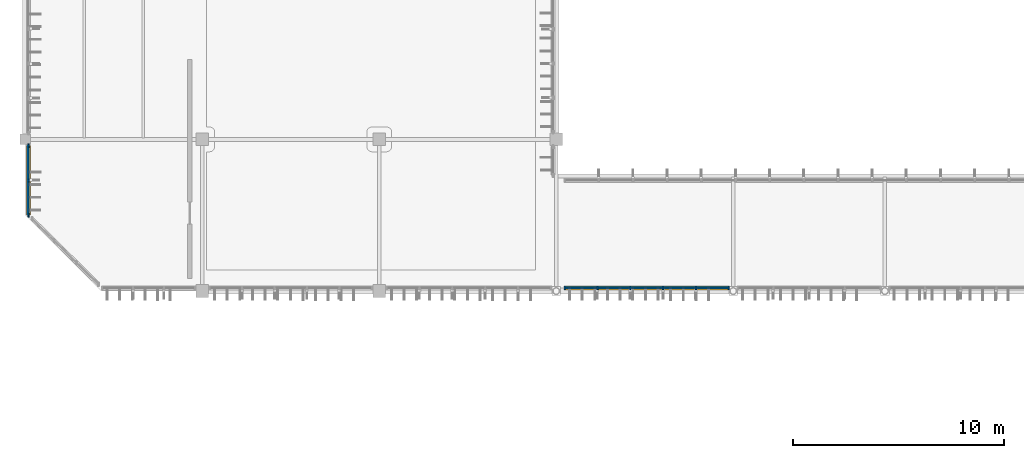
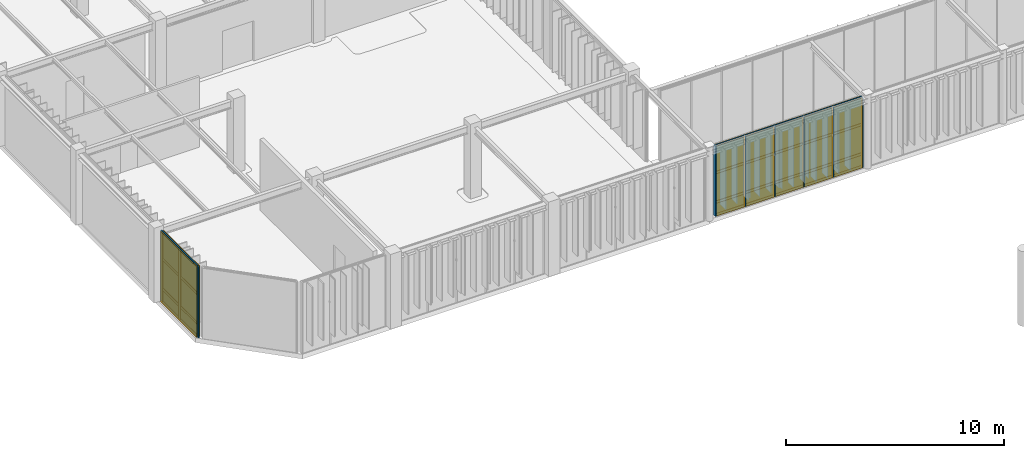
# One storey, part 65 of 104: 37 members, 21 plates, 2 curtain walls.
"""IFC4 building model written with IfcOpenShell, lengths in metres."""

from ifc_helpers import new_model, si_unit, direction, frame, frame_2d, origin, origin_2d, place, context, subcontext, project, spatial, rectangle, extrude, material, layer, layer_set, material_profile, profile_set, type_object, element, aggregate, save


model = new_model("IFC4")

# Units and contexts
model_context = context("Model", 3, precision=1e-05, world=origin(), true_north=direction((0.0, 1.0)))
body_context = subcontext(model_context, "Body", "Model", "MODEL_VIEW")
ifc_project = project(units=[si_unit("LENGTHUNIT", "METRE"), si_unit("AREAUNIT", "SQUARE_METRE"), si_unit("VOLUMEUNIT", "CUBIC_METRE"), si_unit("PLANEANGLEUNIT", "RADIAN"), si_unit("MASSUNIT", "GRAM", prefix="KILO")], contexts=[model_context])

# Member
ifc_material_1 = material(Name="Anodised Bronze Aluminium 6063-T6", Category="aluminium")
ifc_material_profile_1 = material_profile(ifc_material_1, rectangle(XDim=0.06005859375, YDim=0.179931640625, at=origin_2d()), Name="ALU MULLION 60x180")
ifc_profile_set_1 = profile_set([ifc_material_profile_1], Name="Anodised Bronze Aluminium 6063-T6")
member_type_1 = type_object("IfcMemberType", Name="Curtain-Wall Primary Mullion 60x180", PredefinedType="MULLION", material=ifc_profile_set_1)
site_placement = place(None, origin())
building_placement = place(site_placement, origin())
storey_placement = place(building_placement, frame((0.0, 0.0, 9.0)))
member_1_placement = place(storey_placement, frame((2.550048828125, 48.199951171875, 0.0), z_axis=(0.0, 0.0, 1.0), x_axis=(1.0, 0.0, 0.0)))
member_1 = element("IfcMember", 1, at=member_1_placement, type_object=member_type_1, Name="Mullion CWM-01 CW-V6-W1-L02-B1-M01", PredefinedType="MULLION", context=body_context, shape_type="SweptSolid", body=[
    extrude(rectangle(XDim=0.06005859375, YDim=0.179931640625, at=origin_2d()), origin(), (0.0, 0.0, 1.0), 3.9599609375),
])

member_2_placement = place(storey_placement, frame((2.550048828125, 49.85009765625, 0.0), z_axis=(0.0, 0.0, 1.0), x_axis=(1.0, 0.0, 0.0)))
member_2 = element("IfcMember", 2, at=member_2_placement, type_object=member_type_1, Name="Mullion CWM-01 CW-V6-W1-L02-B1-M02", PredefinedType="MULLION", context=body_context, shape_type="SweptSolid", body=[
    extrude(rectangle(XDim=0.06005859375, YDim=0.179931640625, at=origin_2d()), origin(), (0.0, 0.0, 1.0), 3.9599609375),
])

member_3_placement = place(storey_placement, frame((2.550048828125, 51.5, 0.0), z_axis=(0.0, 0.0, 1.0), x_axis=(1.0, 0.0, 0.0)))
member_3 = element("IfcMember", 3, at=member_3_placement, type_object=member_type_1, Name="Mullion CWM-01 CW-V6-W1-L02-B1-M03", PredefinedType="MULLION", context=body_context, shape_type="SweptSolid", body=[
    extrude(rectangle(XDim=0.06005859375, YDim=0.179931640625, at=origin_2d()), origin(), (0.0, 0.0, 1.0), 3.9599609375),
])

member_4_placement = place(storey_placement, frame((28.0, 44.75, 0.0), z_axis=(0.0, 0.0, 1.0), x_axis=(1.0, 0.0, 0.0)))
member_4 = element("IfcMember", 4, at=member_4_placement, type_object=member_type_1, Name="Mullion CWM-01 CW-WLNK-S-L02-B1-M01", PredefinedType="MULLION", context=body_context, shape_type="SweptSolid", body=[
    extrude(rectangle(XDim=0.06005859375, YDim=0.179931640625, at=origin_2d()), origin(), (0.0, 0.0, 1.0), 3.93994140625),
])

member_5_placement = place(storey_placement, frame((29.5576171875, 44.75, 0.0), z_axis=(0.0, 0.0, 1.0), x_axis=(1.0, 0.0, 0.0)))
member_5 = element("IfcMember", 5, at=member_5_placement, type_object=member_type_1, Name="Mullion CWM-01 CW-WLNK-S-L02-B1-M02", PredefinedType="MULLION", context=body_context, shape_type="SweptSolid", body=[
    extrude(rectangle(XDim=0.06005859375, YDim=0.179931640625, at=origin_2d()), origin(), (0.0, 0.0, 1.0), 3.93994140625),
])

member_6_placement = place(storey_placement, frame((31.115234375, 44.75, 0.0), z_axis=(0.0, 0.0, 1.0), x_axis=(1.0, 0.0, 0.0)))
member_6 = element("IfcMember", 6, at=member_6_placement, type_object=member_type_1, Name="Mullion CWM-01 CW-WLNK-S-L02-B1-M03", PredefinedType="MULLION", context=body_context, shape_type="SweptSolid", body=[
    extrude(rectangle(XDim=0.06005859375, YDim=0.179931640625, at=origin_2d()), origin(), (0.0, 0.0, 1.0), 3.93994140625),
])

member_7_placement = place(storey_placement, frame((32.6728515625, 44.75, 0.0), z_axis=(0.0, 0.0, 1.0), x_axis=(1.0, 0.0, 0.0)))
member_7 = element("IfcMember", 7, at=member_7_placement, type_object=member_type_1, Name="Mullion CWM-01 CW-WLNK-S-L02-B1-M04", PredefinedType="MULLION", context=body_context, shape_type="SweptSolid", body=[
    extrude(rectangle(XDim=0.06005859375, YDim=0.179931640625, at=origin_2d()), origin(), (0.0, 0.0, 1.0), 3.93994140625),
])

member_8_placement = place(storey_placement, frame((34.23046875, 44.75, 0.0), z_axis=(0.0, 0.0, 1.0), x_axis=(1.0, 0.0, 0.0)))
member_8 = element("IfcMember", 8, at=member_8_placement, type_object=member_type_1, Name="Mullion CWM-01 CW-WLNK-S-L02-B1-M05", PredefinedType="MULLION", context=body_context, shape_type="SweptSolid", body=[
    extrude(rectangle(XDim=0.06005859375, YDim=0.179931640625, at=origin_2d()), origin(), (0.0, 0.0, 1.0), 3.93994140625),
])

member_9_placement = place(storey_placement, frame((35.7880859375, 44.75, 0.0), z_axis=(0.0, 0.0, 1.0), x_axis=(1.0, 0.0, 0.0)))
member_9 = element("IfcMember", 9, at=member_9_placement, type_object=member_type_1, Name="Mullion CWM-01 CW-WLNK-S-L02-B1-M06", PredefinedType="MULLION", context=body_context, shape_type="SweptSolid", body=[
    extrude(rectangle(XDim=0.06005859375, YDim=0.179931640625, at=origin_2d()), origin(), (0.0, 0.0, 1.0), 3.93994140625),
])

ifc_material_profile_2 = material_profile(ifc_material_1, rectangle(XDim=0.06005859375, YDim=0.139892578125, at=origin_2d()), Name="ALU TRANSOM 60x140")
ifc_profile_set_2 = profile_set([ifc_material_profile_2], Name="Anodised Bronze Aluminium 6063-T6")
member_type_2 = type_object("IfcMemberType", Name="Curtain-Wall Transom 60x140", PredefinedType="USERDEFINED", material=ifc_profile_set_2)
member_10_placement = place(storey_placement, frame((2.550048828125, 48.235107421875, 0.0400390625), z_axis=(0.0, 1.0, 0.0), x_axis=(-1.0, 0.0, 0.0)))
member_10 = element("IfcMember", 10, at=member_10_placement, type_object=member_type_2, Name="Transom CWT-01 CW-V6-W1-L02-B1-T01.1", ObjectType="TRANSOM", PredefinedType="USERDEFINED", context=body_context, shape_type="SweptSolid", body=[
    extrude(rectangle(XDim=0.06005859375, YDim=0.139892578125, at=origin_2d()), origin(), (0.0, 0.0, 1.0), 1.579833984375),
])

member_11_placement = place(storey_placement, frame((2.550048828125, 48.235107421875, 0.75), z_axis=(0.0, 1.0, 0.0), x_axis=(-1.0, 0.0, 0.0)))
member_11 = element("IfcMember", 11, at=member_11_placement, type_object=member_type_2, Name="Transom CWT-01 CW-V6-W1-L02-B1-T01.2", ObjectType="TRANSOM", PredefinedType="USERDEFINED", context=body_context, shape_type="SweptSolid", body=[
    extrude(rectangle(XDim=0.06005859375, YDim=0.139892578125, at=origin_2d()), origin(), (0.0, 0.0, 1.0), 1.579833984375),
])

member_12_placement = place(storey_placement, frame((2.550048828125, 48.235107421875, 2.419189453125), z_axis=(0.0, 1.0, 0.0), x_axis=(-1.0, 0.0, 0.0)))
member_12 = element("IfcMember", 12, at=member_12_placement, type_object=member_type_2, Name="Transom CWT-01 CW-V6-W1-L02-B1-T01.3", ObjectType="TRANSOM", PredefinedType="USERDEFINED", context=body_context, shape_type="SweptSolid", body=[
    extrude(rectangle(XDim=0.06005859375, YDim=0.139892578125, at=origin_2d()), origin(), (0.0, 0.0, 1.0), 1.579833984375),
])

member_13_placement = place(storey_placement, frame((2.550048828125, 48.235107421875, 3.919921875), z_axis=(0.0, 1.0, 0.0), x_axis=(-1.0, 0.0, 0.0)))
member_13 = element("IfcMember", 13, at=member_13_placement, type_object=member_type_2, Name="Transom CWT-01 CW-V6-W1-L02-B1-T01.4", ObjectType="TRANSOM", PredefinedType="USERDEFINED", context=body_context, shape_type="SweptSolid", body=[
    extrude(rectangle(XDim=0.06005859375, YDim=0.139892578125, at=origin_2d()), origin(), (0.0, 0.0, 1.0), 1.579833984375),
])

member_14_placement = place(storey_placement, frame((2.550048828125, 49.885009765625, 0.0400390625), z_axis=(0.0, 1.0, 0.0), x_axis=(-1.0, 0.0, 0.0)))
member_14 = element("IfcMember", 14, at=member_14_placement, type_object=member_type_2, Name="Transom CWT-01 CW-V6-W1-L02-B1-T02.1", ObjectType="TRANSOM", PredefinedType="USERDEFINED", context=body_context, shape_type="SweptSolid", body=[
    extrude(rectangle(XDim=0.06005859375, YDim=0.139892578125, at=origin_2d()), origin(), (0.0, 0.0, 1.0), 1.580078125),
])

member_15_placement = place(storey_placement, frame((2.550048828125, 49.885009765625, 0.75), z_axis=(0.0, 1.0, 0.0), x_axis=(-1.0, 0.0, 0.0)))
member_15 = element("IfcMember", 15, at=member_15_placement, type_object=member_type_2, Name="Transom CWT-01 CW-V6-W1-L02-B1-T02.2", ObjectType="TRANSOM", PredefinedType="USERDEFINED", context=body_context, shape_type="SweptSolid", body=[
    extrude(rectangle(XDim=0.06005859375, YDim=0.139892578125, at=origin_2d()), origin(), (0.0, 0.0, 1.0), 1.580078125),
])

member_16_placement = place(storey_placement, frame((2.550048828125, 49.885009765625, 2.419189453125), z_axis=(0.0, 1.0, 0.0), x_axis=(-1.0, 0.0, 0.0)))
member_16 = element("IfcMember", 16, at=member_16_placement, type_object=member_type_2, Name="Transom CWT-01 CW-V6-W1-L02-B1-T02.3", ObjectType="TRANSOM", PredefinedType="USERDEFINED", context=body_context, shape_type="SweptSolid", body=[
    extrude(rectangle(XDim=0.06005859375, YDim=0.139892578125, at=origin_2d()), origin(), (0.0, 0.0, 1.0), 1.580078125),
])

member_17_placement = place(storey_placement, frame((2.550048828125, 49.885009765625, 3.919921875), z_axis=(0.0, 1.0, 0.0), x_axis=(-1.0, 0.0, 0.0)))
member_17 = element("IfcMember", 17, at=member_17_placement, type_object=member_type_2, Name="Transom CWT-01 CW-V6-W1-L02-B1-T02.4", ObjectType="TRANSOM", PredefinedType="USERDEFINED", context=body_context, shape_type="SweptSolid", body=[
    extrude(rectangle(XDim=0.06005859375, YDim=0.139892578125, at=origin_2d()), origin(), (0.0, 0.0, 1.0), 1.580078125),
])

member_18_placement = place(storey_placement, frame((28.034912109375, 44.75, 0.0400390625), z_axis=(1.0, 0.0, 0.0), x_axis=(0.0, 1.0, 0.0)))
member_18 = element("IfcMember", 18, at=member_18_placement, type_object=member_type_2, Name="Transom CWT-01 CW-WLNK-S-L02-B1-T01.1", ObjectType="TRANSOM", PredefinedType="USERDEFINED", context=body_context, shape_type="SweptSolid", body=[
    extrude(rectangle(XDim=0.06005859375, YDim=0.139892578125, at=origin_2d()), origin(), (0.0, 0.0, 1.0), 1.48779296875),
])

member_19_placement = place(storey_placement, frame((28.034912109375, 44.75, 0.75), z_axis=(1.0, 0.0, 0.0), x_axis=(0.0, 1.0, 0.0)))
member_19 = element("IfcMember", 19, at=member_19_placement, type_object=member_type_2, Name="Transom CWT-01 CW-WLNK-S-L02-B1-T01.2", ObjectType="TRANSOM", PredefinedType="USERDEFINED", context=body_context, shape_type="SweptSolid", body=[
    extrude(rectangle(XDim=0.06005859375, YDim=0.139892578125, at=origin_2d()), origin(), (0.0, 0.0, 1.0), 1.48779296875),
])

member_20_placement = place(storey_placement, frame((28.034912109375, 44.75, 2.40869140625), z_axis=(1.0, 0.0, 0.0), x_axis=(0.0, 1.0, 0.0)))
member_20 = element("IfcMember", 20, at=member_20_placement, type_object=member_type_2, Name="Transom CWT-01 CW-WLNK-S-L02-B1-T01.3", ObjectType="TRANSOM", PredefinedType="USERDEFINED", context=body_context, shape_type="SweptSolid", body=[
    extrude(rectangle(XDim=0.06005859375, YDim=0.139892578125, at=origin_2d()), origin(), (0.0, 0.0, 1.0), 1.48779296875),
])

member_21_placement = place(storey_placement, frame((28.034912109375, 44.75, 3.89990234375), z_axis=(1.0, 0.0, 0.0), x_axis=(0.0, 1.0, 0.0)))
member_21 = element("IfcMember", 21, at=member_21_placement, type_object=member_type_2, Name="Transom CWT-01 CW-WLNK-S-L02-B1-T01.4", ObjectType="TRANSOM", PredefinedType="USERDEFINED", context=body_context, shape_type="SweptSolid", body=[
    extrude(rectangle(XDim=0.06005859375, YDim=0.139892578125, at=origin_2d()), origin(), (0.0, 0.0, 1.0), 1.48779296875),
])

member_22_placement = place(storey_placement, frame((29.592529296875, 44.75, 0.0400390625), z_axis=(1.0, 0.0, 0.0), x_axis=(0.0, 1.0, 0.0)))
member_22 = element("IfcMember", 22, at=member_22_placement, type_object=member_type_2, Name="Transom CWT-01 CW-WLNK-S-L02-B1-T02.1", ObjectType="TRANSOM", PredefinedType="USERDEFINED", context=body_context, shape_type="SweptSolid", body=[
    extrude(rectangle(XDim=0.06005859375, YDim=0.139892578125, at=origin_2d()), origin(), (0.0, 0.0, 1.0), 1.487548828125),
])

member_23_placement = place(storey_placement, frame((29.592529296875, 44.75, 0.75), z_axis=(1.0, 0.0, 0.0), x_axis=(0.0, 1.0, 0.0)))
member_23 = element("IfcMember", 23, at=member_23_placement, type_object=member_type_2, Name="Transom CWT-01 CW-WLNK-S-L02-B1-T02.2", ObjectType="TRANSOM", PredefinedType="USERDEFINED", context=body_context, shape_type="SweptSolid", body=[
    extrude(rectangle(XDim=0.06005859375, YDim=0.139892578125, at=origin_2d()), origin(), (0.0, 0.0, 1.0), 1.487548828125),
])

member_24_placement = place(storey_placement, frame((29.592529296875, 44.75, 2.40869140625), z_axis=(1.0, 0.0, 0.0), x_axis=(0.0, 1.0, 0.0)))
member_24 = element("IfcMember", 24, at=member_24_placement, type_object=member_type_2, Name="Transom CWT-01 CW-WLNK-S-L02-B1-T02.3", ObjectType="TRANSOM", PredefinedType="USERDEFINED", context=body_context, shape_type="SweptSolid", body=[
    extrude(rectangle(XDim=0.06005859375, YDim=0.139892578125, at=origin_2d()), origin(), (0.0, 0.0, 1.0), 1.487548828125),
])

member_25_placement = place(storey_placement, frame((29.592529296875, 44.75, 3.89990234375), z_axis=(1.0, 0.0, 0.0), x_axis=(0.0, 1.0, 0.0)))
member_25 = element("IfcMember", 25, at=member_25_placement, type_object=member_type_2, Name="Transom CWT-01 CW-WLNK-S-L02-B1-T02.4", ObjectType="TRANSOM", PredefinedType="USERDEFINED", context=body_context, shape_type="SweptSolid", body=[
    extrude(rectangle(XDim=0.06005859375, YDim=0.139892578125, at=origin_2d()), origin(), (0.0, 0.0, 1.0), 1.487548828125),
])

member_26_placement = place(storey_placement, frame((31.150146484375, 44.75, 0.0400390625), z_axis=(1.0, 0.0, 0.0), x_axis=(0.0, 1.0, 0.0)))
member_26 = element("IfcMember", 26, at=member_26_placement, type_object=member_type_2, Name="Transom CWT-01 CW-WLNK-S-L02-B1-T03.1", ObjectType="TRANSOM", PredefinedType="USERDEFINED", context=body_context, shape_type="SweptSolid", body=[
    extrude(rectangle(XDim=0.06005859375, YDim=0.139892578125, at=origin_2d()), origin(), (0.0, 0.0, 1.0), 1.487548828125),
])

member_27_placement = place(storey_placement, frame((31.150146484375, 44.75, 0.75), z_axis=(1.0, 0.0, 0.0), x_axis=(0.0, 1.0, 0.0)))
member_27 = element("IfcMember", 27, at=member_27_placement, type_object=member_type_2, Name="Transom CWT-01 CW-WLNK-S-L02-B1-T03.2", ObjectType="TRANSOM", PredefinedType="USERDEFINED", context=body_context, shape_type="SweptSolid", body=[
    extrude(rectangle(XDim=0.06005859375, YDim=0.139892578125, at=origin_2d()), origin(), (0.0, 0.0, 1.0), 1.487548828125),
])

member_28_placement = place(storey_placement, frame((31.150146484375, 44.75, 2.40869140625), z_axis=(1.0, 0.0, 0.0), x_axis=(0.0, 1.0, 0.0)))
member_28 = element("IfcMember", 28, at=member_28_placement, type_object=member_type_2, Name="Transom CWT-01 CW-WLNK-S-L02-B1-T03.3", ObjectType="TRANSOM", PredefinedType="USERDEFINED", context=body_context, shape_type="SweptSolid", body=[
    extrude(rectangle(XDim=0.06005859375, YDim=0.139892578125, at=origin_2d()), origin(), (0.0, 0.0, 1.0), 1.487548828125),
])

member_29_placement = place(storey_placement, frame((31.150146484375, 44.75, 3.89990234375), z_axis=(1.0, 0.0, 0.0), x_axis=(0.0, 1.0, 0.0)))
member_29 = element("IfcMember", 29, at=member_29_placement, type_object=member_type_2, Name="Transom CWT-01 CW-WLNK-S-L02-B1-T03.4", ObjectType="TRANSOM", PredefinedType="USERDEFINED", context=body_context, shape_type="SweptSolid", body=[
    extrude(rectangle(XDim=0.06005859375, YDim=0.139892578125, at=origin_2d()), origin(), (0.0, 0.0, 1.0), 1.487548828125),
])

member_30_placement = place(storey_placement, frame((32.707763671875, 44.75, 0.0400390625), z_axis=(1.0, 0.0, 0.0), x_axis=(0.0, 1.0, 0.0)))
member_30 = element("IfcMember", 30, at=member_30_placement, type_object=member_type_2, Name="Transom CWT-01 CW-WLNK-S-L02-B1-T04.1", ObjectType="TRANSOM", PredefinedType="USERDEFINED", context=body_context, shape_type="SweptSolid", body=[
    extrude(rectangle(XDim=0.06005859375, YDim=0.139892578125, at=origin_2d()), origin(), (0.0, 0.0, 1.0), 1.487548828125),
])

member_31_placement = place(storey_placement, frame((32.707763671875, 44.75, 0.75), z_axis=(1.0, 0.0, 0.0), x_axis=(0.0, 1.0, 0.0)))
member_31 = element("IfcMember", 31, at=member_31_placement, type_object=member_type_2, Name="Transom CWT-01 CW-WLNK-S-L02-B1-T04.2", ObjectType="TRANSOM", PredefinedType="USERDEFINED", context=body_context, shape_type="SweptSolid", body=[
    extrude(rectangle(XDim=0.06005859375, YDim=0.139892578125, at=origin_2d()), origin(), (0.0, 0.0, 1.0), 1.487548828125),
])

member_32_placement = place(storey_placement, frame((32.707763671875, 44.75, 2.40869140625), z_axis=(1.0, 0.0, 0.0), x_axis=(0.0, 1.0, 0.0)))
member_32 = element("IfcMember", 32, at=member_32_placement, type_object=member_type_2, Name="Transom CWT-01 CW-WLNK-S-L02-B1-T04.3", ObjectType="TRANSOM", PredefinedType="USERDEFINED", context=body_context, shape_type="SweptSolid", body=[
    extrude(rectangle(XDim=0.06005859375, YDim=0.139892578125, at=origin_2d()), origin(), (0.0, 0.0, 1.0), 1.487548828125),
])

member_33_placement = place(storey_placement, frame((32.707763671875, 44.75, 3.89990234375), z_axis=(1.0, 0.0, 0.0), x_axis=(0.0, 1.0, 0.0)))
member_33 = element("IfcMember", 33, at=member_33_placement, type_object=member_type_2, Name="Transom CWT-01 CW-WLNK-S-L02-B1-T04.4", ObjectType="TRANSOM", PredefinedType="USERDEFINED", context=body_context, shape_type="SweptSolid", body=[
    extrude(rectangle(XDim=0.06005859375, YDim=0.139892578125, at=origin_2d()), origin(), (0.0, 0.0, 1.0), 1.487548828125),
])

member_34_placement = place(storey_placement, frame((34.265380859375, 44.75, 0.0400390625), z_axis=(1.0, 0.0, 0.0), x_axis=(0.0, 1.0, 0.0)))
member_34 = element("IfcMember", 34, at=member_34_placement, type_object=member_type_2, Name="Transom CWT-01 CW-WLNK-S-L02-B1-T05.1", ObjectType="TRANSOM", PredefinedType="USERDEFINED", context=body_context, shape_type="SweptSolid", body=[
    extrude(rectangle(XDim=0.06005859375, YDim=0.139892578125, at=origin_2d()), origin(), (0.0, 0.0, 1.0), 1.487548828125),
])

member_35_placement = place(storey_placement, frame((34.265380859375, 44.75, 0.75), z_axis=(1.0, 0.0, 0.0), x_axis=(0.0, 1.0, 0.0)))
member_35 = element("IfcMember", 35, at=member_35_placement, type_object=member_type_2, Name="Transom CWT-01 CW-WLNK-S-L02-B1-T05.2", ObjectType="TRANSOM", PredefinedType="USERDEFINED", context=body_context, shape_type="SweptSolid", body=[
    extrude(rectangle(XDim=0.06005859375, YDim=0.139892578125, at=origin_2d()), origin(), (0.0, 0.0, 1.0), 1.487548828125),
])

member_36_placement = place(storey_placement, frame((34.265380859375, 44.75, 2.40869140625), z_axis=(1.0, 0.0, 0.0), x_axis=(0.0, 1.0, 0.0)))
member_36 = element("IfcMember", 36, at=member_36_placement, type_object=member_type_2, Name="Transom CWT-01 CW-WLNK-S-L02-B1-T05.3", ObjectType="TRANSOM", PredefinedType="USERDEFINED", context=body_context, shape_type="SweptSolid", body=[
    extrude(rectangle(XDim=0.06005859375, YDim=0.139892578125, at=origin_2d()), origin(), (0.0, 0.0, 1.0), 1.487548828125),
])

member_37_placement = place(storey_placement, frame((34.265380859375, 44.75, 3.89990234375), z_axis=(1.0, 0.0, 0.0), x_axis=(0.0, 1.0, 0.0)))
member_37 = element("IfcMember", 37, at=member_37_placement, type_object=member_type_2, Name="Transom CWT-01 CW-WLNK-S-L02-B1-T05.4", ObjectType="TRANSOM", PredefinedType="USERDEFINED", context=body_context, shape_type="SweptSolid", body=[
    extrude(rectangle(XDim=0.06005859375, YDim=0.139892578125, at=origin_2d()), origin(), (0.0, 0.0, 1.0), 1.487548828125),
])

# Plate
ifc_material_2 = material(Name="Insulated Bronze Aluminium Spandrel Panel", Category="aluminium")
ifc_layer_1 = layer(ifc_material_2, 0.050048828125, Name="Insulated Bronze Aluminium Spandrel Panel")
ifc_layer_set_1 = layer_set([ifc_layer_1], Name="Insulated Bronze Aluminium Spandrel Panel")
plate_type_1 = type_object("IfcPlateType", Name="Insulated Anodised Aluminium Spandrel Cassette 50", PredefinedType="CURTAIN_PANEL", material=ifc_layer_set_1)
plate_1_placement = place(storey_placement, frame((2.550048828125, 49.02490234375, 0.070068359375), z_axis=(0.0, 0.0, 1.0), x_axis=(0.0, 1.0, 0.0)))
plate_1 = element("IfcPlate", 38, at=plate_1_placement, type_object=plate_type_1, Name="Curtain Panel CWP-03 CW-V6-W1-L02-B1-P01.1", PredefinedType="CURTAIN_PANEL", context=body_context, shape_type="SweptSolid", body=[
    extrude(rectangle(XDim=1.580078125, YDim=0.050048828125, at=origin_2d()), origin(), (0.0, 0.0, 1.0), 0.64990234375),
])

plate_2_placement = place(storey_placement, frame((2.550048828125, 50.675048828125, 0.070068359375), z_axis=(0.0, 0.0, 1.0), x_axis=(0.0, 1.0, 0.0)))
plate_2 = element("IfcPlate", 39, at=plate_2_placement, type_object=plate_type_1, Name="Curtain Panel CWP-03 CW-V6-W1-L02-B1-P02.1", PredefinedType="CURTAIN_PANEL", context=body_context, shape_type="SweptSolid", body=[
    extrude(rectangle(XDim=1.580078125, YDim=0.050048828125, at=origin_2d()), origin(), (0.0, 0.0, 1.0), 0.64990234375),
])

plate_3_placement = place(storey_placement, frame((28.77880859375, 44.75, 0.070068359375), z_axis=(0.0, 0.0, 1.0), x_axis=(1.0, 0.0, 0.0)))
plate_3 = element("IfcPlate", 40, at=plate_3_placement, type_object=plate_type_1, Name="Curtain Panel CWP-03 CW-WLNK-S-L02-B1-P01.1", PredefinedType="CURTAIN_PANEL", context=body_context, shape_type="SweptSolid", body=[
    extrude(rectangle(XDim=1.487548828125, YDim=0.050048828125, at=origin_2d()), origin(), (0.0, 0.0, 1.0), 0.64990234375),
])

plate_4_placement = place(storey_placement, frame((30.33642578125, 44.75, 0.070068359375), z_axis=(0.0, 0.0, 1.0), x_axis=(1.0, 0.0, 0.0)))
plate_4 = element("IfcPlate", 41, at=plate_4_placement, type_object=plate_type_1, Name="Curtain Panel CWP-03 CW-WLNK-S-L02-B1-P02.1", PredefinedType="CURTAIN_PANEL", context=body_context, shape_type="SweptSolid", body=[
    extrude(rectangle(XDim=1.487548828125, YDim=0.050048828125, at=origin_2d()), origin(), (0.0, 0.0, 1.0), 0.64990234375),
])

plate_5_placement = place(storey_placement, frame((31.89404296875, 44.75, 0.070068359375), z_axis=(0.0, 0.0, 1.0), x_axis=(1.0, 0.0, 0.0)))
plate_5 = element("IfcPlate", 42, at=plate_5_placement, type_object=plate_type_1, Name="Curtain Panel CWP-03 CW-WLNK-S-L02-B1-P03.1", PredefinedType="CURTAIN_PANEL", context=body_context, shape_type="SweptSolid", body=[
    extrude(rectangle(XDim=1.487548828125, YDim=0.050048828125, at=origin_2d()), origin(), (0.0, 0.0, 1.0), 0.64990234375),
])

plate_6_placement = place(storey_placement, frame((33.45166015625, 44.75, 0.070068359375), z_axis=(0.0, 0.0, 1.0), x_axis=(1.0, 0.0, 0.0)))
plate_6 = element("IfcPlate", 43, at=plate_6_placement, type_object=plate_type_1, Name="Curtain Panel CWP-03 CW-WLNK-S-L02-B1-P04.1", PredefinedType="CURTAIN_PANEL", context=body_context, shape_type="SweptSolid", body=[
    extrude(rectangle(XDim=1.487548828125, YDim=0.050048828125, at=origin_2d()), origin(), (0.0, 0.0, 1.0), 0.64990234375),
])

plate_7_placement = place(storey_placement, frame((35.00927734375, 44.75, 0.070068359375), z_axis=(0.0, 0.0, 1.0), x_axis=(1.0, 0.0, 0.0)))
plate_7 = element("IfcPlate", 44, at=plate_7_placement, type_object=plate_type_1, Name="Curtain Panel CWP-03 CW-WLNK-S-L02-B1-P05.1", PredefinedType="CURTAIN_PANEL", context=body_context, shape_type="SweptSolid", body=[
    extrude(rectangle(XDim=1.487548828125, YDim=0.050048828125, at=origin_2d()), origin(), (0.0, 0.0, 1.0), 0.64990234375),
])

ifc_material_3 = material(Name="Solar-Control Tempered Double Glazing", Category="glass")
ifc_layer_2 = layer(ifc_material_3, 0.0380859375, Name="Solar-Control Tempered Double Glazing")
ifc_layer_set_2 = layer_set([ifc_layer_2], Name="Solar-Control Tempered Double Glazing")
plate_type_2 = type_object("IfcPlateType", Name="Solar-Control Vision Glazing Unit 38", PredefinedType="CURTAIN_PANEL", material=ifc_layer_set_2)
plate_8_placement = place(storey_placement, frame((2.550048828125, 49.02490234375, 0.7802734375), z_axis=(0.0, 0.0, 1.0), x_axis=(0.0, 1.0, 0.0)))
plate_8 = element("IfcPlate", 45, at=plate_8_placement, type_object=plate_type_2, Name="Curtain Panel CWP-02 CW-V6-W1-L02-B1-P01.2", PredefinedType="CURTAIN_PANEL", context=body_context, shape_type="SweptSolid", body=[
    extrude(rectangle(XDim=1.580078125, YDim=0.0380859375, at=origin_2d()), origin(), (0.0, 0.0, 1.0), 1.609130859375),
])

plate_9_placement = place(storey_placement, frame((2.550048828125, 49.02490234375, 2.44921875), z_axis=(0.0, 0.0, 1.0), x_axis=(0.0, 1.0, 0.0)))
plate_9 = element("IfcPlate", 46, at=plate_9_placement, type_object=plate_type_2, Name="Curtain Panel CWP-02 CW-V6-W1-L02-B1-P01.3", PredefinedType="CURTAIN_PANEL", context=body_context, shape_type="SweptSolid", body=[
    extrude(rectangle(XDim=1.580078125, YDim=0.0380859375, at=origin_2d()), origin(), (0.0, 0.0, 1.0), 1.44091796875),
])

plate_10_placement = place(storey_placement, frame((2.550048828125, 50.675048828125, 0.7802734375), z_axis=(0.0, 0.0, 1.0), x_axis=(0.0, 1.0, 0.0)))
plate_10 = element("IfcPlate", 47, at=plate_10_placement, type_object=plate_type_2, Name="Curtain Panel CWP-02 CW-V6-W1-L02-B1-P02.2", PredefinedType="CURTAIN_PANEL", context=body_context, shape_type="SweptSolid", body=[
    extrude(rectangle(XDim=1.580078125, YDim=0.0380859375, at=origin_2d()), origin(), (0.0, 0.0, 1.0), 1.609130859375),
])

plate_11_placement = place(storey_placement, frame((2.550048828125, 50.675048828125, 2.44921875), z_axis=(0.0, 0.0, 1.0), x_axis=(0.0, 1.0, 0.0)))
plate_11 = element("IfcPlate", 48, at=plate_11_placement, type_object=plate_type_2, Name="Curtain Panel CWP-02 CW-V6-W1-L02-B1-P02.3", PredefinedType="CURTAIN_PANEL", context=body_context, shape_type="SweptSolid", body=[
    extrude(rectangle(XDim=1.580078125, YDim=0.0380859375, at=origin_2d()), origin(), (0.0, 0.0, 1.0), 1.44091796875),
])

plate_12_placement = place(storey_placement, frame((28.77880859375, 44.75, 0.77978515625), z_axis=(0.0, 0.0, 1.0), x_axis=(1.0, 0.0, 0.0)))
plate_12 = element("IfcPlate", 49, at=plate_12_placement, type_object=plate_type_2, Name="Curtain Panel CWP-02 CW-WLNK-S-L02-B1-P01.2", PredefinedType="CURTAIN_PANEL", context=body_context, shape_type="SweptSolid", body=[
    extrude(rectangle(XDim=1.487548828125, YDim=0.0380859375, at=origin_2d()), origin(), (0.0, 0.0, 1.0), 1.598876953125),
])

plate_13_placement = place(storey_placement, frame((28.77880859375, 44.75, 2.438720703125), z_axis=(0.0, 0.0, 1.0), x_axis=(1.0, 0.0, 0.0)))
plate_13 = element("IfcPlate", 50, at=plate_13_placement, type_object=plate_type_2, Name="Curtain Panel CWP-02 CW-WLNK-S-L02-B1-P01.3", PredefinedType="CURTAIN_PANEL", context=body_context, shape_type="SweptSolid", body=[
    extrude(rectangle(XDim=1.487548828125, YDim=0.0380859375, at=origin_2d()), origin(), (0.0, 0.0, 1.0), 1.43115234375),
])

plate_14_placement = place(storey_placement, frame((30.33642578125, 44.75, 0.77978515625), z_axis=(0.0, 0.0, 1.0), x_axis=(1.0, 0.0, 0.0)))
plate_14 = element("IfcPlate", 51, at=plate_14_placement, type_object=plate_type_2, Name="Curtain Panel CWP-02 CW-WLNK-S-L02-B1-P02.2", PredefinedType="CURTAIN_PANEL", context=body_context, shape_type="SweptSolid", body=[
    extrude(rectangle(XDim=1.487548828125, YDim=0.0380859375, at=origin_2d()), origin(), (0.0, 0.0, 1.0), 1.598876953125),
])

plate_15_placement = place(storey_placement, frame((30.33642578125, 44.75, 2.438720703125), z_axis=(0.0, 0.0, 1.0), x_axis=(1.0, 0.0, 0.0)))
plate_15 = element("IfcPlate", 52, at=plate_15_placement, type_object=plate_type_2, Name="Curtain Panel CWP-02 CW-WLNK-S-L02-B1-P02.3", PredefinedType="CURTAIN_PANEL", context=body_context, shape_type="SweptSolid", body=[
    extrude(rectangle(XDim=1.487548828125, YDim=0.0380859375, at=origin_2d()), origin(), (0.0, 0.0, 1.0), 1.43115234375),
])

plate_16_placement = place(storey_placement, frame((31.89404296875, 44.75, 0.77978515625), z_axis=(0.0, 0.0, 1.0), x_axis=(1.0, 0.0, 0.0)))
plate_16 = element("IfcPlate", 53, at=plate_16_placement, type_object=plate_type_2, Name="Curtain Panel CWP-02 CW-WLNK-S-L02-B1-P03.2", PredefinedType="CURTAIN_PANEL", context=body_context, shape_type="SweptSolid", body=[
    extrude(rectangle(XDim=1.487548828125, YDim=0.0380859375, at=origin_2d()), origin(), (0.0, 0.0, 1.0), 1.598876953125),
])

plate_17_placement = place(storey_placement, frame((31.89404296875, 44.75, 2.438720703125), z_axis=(0.0, 0.0, 1.0), x_axis=(1.0, 0.0, 0.0)))
plate_17 = element("IfcPlate", 54, at=plate_17_placement, type_object=plate_type_2, Name="Curtain Panel CWP-02 CW-WLNK-S-L02-B1-P03.3", PredefinedType="CURTAIN_PANEL", context=body_context, shape_type="SweptSolid", body=[
    extrude(rectangle(XDim=1.487548828125, YDim=0.0380859375, at=origin_2d()), origin(), (0.0, 0.0, 1.0), 1.43115234375),
])

plate_18_placement = place(storey_placement, frame((33.45166015625, 44.75, 0.77978515625), z_axis=(0.0, 0.0, 1.0), x_axis=(1.0, 0.0, 0.0)))
plate_18 = element("IfcPlate", 55, at=plate_18_placement, type_object=plate_type_2, Name="Curtain Panel CWP-02 CW-WLNK-S-L02-B1-P04.2", PredefinedType="CURTAIN_PANEL", context=body_context, shape_type="SweptSolid", body=[
    extrude(rectangle(XDim=1.487548828125, YDim=0.0380859375, at=origin_2d()), origin(), (0.0, 0.0, 1.0), 1.598876953125),
])

plate_19_placement = place(storey_placement, frame((33.45166015625, 44.75, 2.438720703125), z_axis=(0.0, 0.0, 1.0), x_axis=(1.0, 0.0, 0.0)))
plate_19 = element("IfcPlate", 56, at=plate_19_placement, type_object=plate_type_2, Name="Curtain Panel CWP-02 CW-WLNK-S-L02-B1-P04.3", PredefinedType="CURTAIN_PANEL", context=body_context, shape_type="SweptSolid", body=[
    extrude(rectangle(XDim=1.487548828125, YDim=0.0380859375, at=origin_2d()), origin(), (0.0, 0.0, 1.0), 1.43115234375),
])

plate_20_placement = place(storey_placement, frame((35.00927734375, 44.75, 0.77978515625), z_axis=(0.0, 0.0, 1.0), x_axis=(1.0, 0.0, 0.0)))
plate_20 = element("IfcPlate", 57, at=plate_20_placement, type_object=plate_type_2, Name="Curtain Panel CWP-02 CW-WLNK-S-L02-B1-P05.2", PredefinedType="CURTAIN_PANEL", context=body_context, shape_type="SweptSolid", body=[
    extrude(rectangle(XDim=1.487548828125, YDim=0.0380859375, at=origin_2d()), origin(), (0.0, 0.0, 1.0), 1.598876953125),
])

plate_21_placement = place(storey_placement, frame((35.00927734375, 44.75, 2.438720703125), z_axis=(0.0, 0.0, 1.0), x_axis=(1.0, 0.0, 0.0)))
plate_21 = element("IfcPlate", 58, at=plate_21_placement, type_object=plate_type_2, Name="Curtain Panel CWP-02 CW-WLNK-S-L02-B1-P05.3", PredefinedType="CURTAIN_PANEL", context=body_context, shape_type="SweptSolid", body=[
    extrude(rectangle(XDim=1.487548828125, YDim=0.0380859375, at=origin_2d()), origin(), (0.0, 0.0, 1.0), 1.43115234375),
])

# Site, building, storey
site = spatial("IfcSite", under=ifc_project, at=site_placement, CompositionType="ELEMENT")
building = spatial("IfcBuilding", under=site, at=building_placement, Name="Tazoul Stagehouse", CompositionType="ELEMENT")
storey = spatial("IfcBuildingStorey", under=building, at=storey_placement, Name="L02", CompositionType="ELEMENT", Elevation=9.0)

# Curtain wall
curtain_wall_type = type_object("IfcCurtainWallType", Name="Foyer Clear Solar-Control Curtain Wall", PredefinedType="NOTDEFINED", material=ifc_material_1)
curtain_wall_1_placement = place(storey_placement, frame((2.550048828125, 48.199951171875, 0.0), z_axis=(0.0, 0.0, 1.0), x_axis=(0.0, 1.0, 0.0)))
curtain_wall_1 = element("IfcCurtainWall", 59, at=curtain_wall_1_placement, inside=storey, type_object=curtain_wall_type, Name="L02 Curtain Wall CW-02 (CW-V6-W1-L02-B1)", PredefinedType="NOTDEFINED", context=body_context, shape_type="SweptSolid", body=[
    extrude(rectangle(XDim=3.300048828125, YDim=0.179931640625, at=frame_2d((1.64990234375, 0.0))), origin(), (0.0, 0.0, 1.0), 3.9599609375),
])

aggregate(curtain_wall_1, [member_1, member_2, member_3, member_10, member_11, member_12, member_13, plate_1, plate_8, plate_9, member_14, member_15, member_16, member_17, plate_2, plate_10, plate_11])

curtain_wall_2_placement = place(storey_placement, frame((28.0, 44.75, 0.0), z_axis=(0.0, 0.0, 1.0), x_axis=(1.0, 0.0, 0.0)))
curtain_wall_2 = element("IfcCurtainWall", 60, at=curtain_wall_2_placement, inside=storey, type_object=curtain_wall_type, Name="L02 Curtain Wall CW-02 (CW-WLNK-S-L02-B1)", PredefinedType="NOTDEFINED", context=body_context, shape_type="SweptSolid", body=[
    extrude(rectangle(XDim=7.7880859375, YDim=0.179931640625, at=frame_2d((3.89404296875, 0.0))), origin(), (0.0, 0.0, 1.0), 3.93994140625),
])

aggregate(curtain_wall_2, [member_4, member_5, member_6, member_7, member_8, member_9, member_18, member_19, member_20, member_21, plate_3, plate_12, plate_13, member_22, member_23, member_24, member_25, plate_4, plate_14, plate_15, member_26, member_27, member_28, member_29, plate_5, plate_16, plate_17, member_30, member_31, member_32, member_33, plate_6, plate_18, plate_19, member_34, member_35, member_36, member_37, plate_7, plate_20, plate_21])

save(model, "model.ifc")
